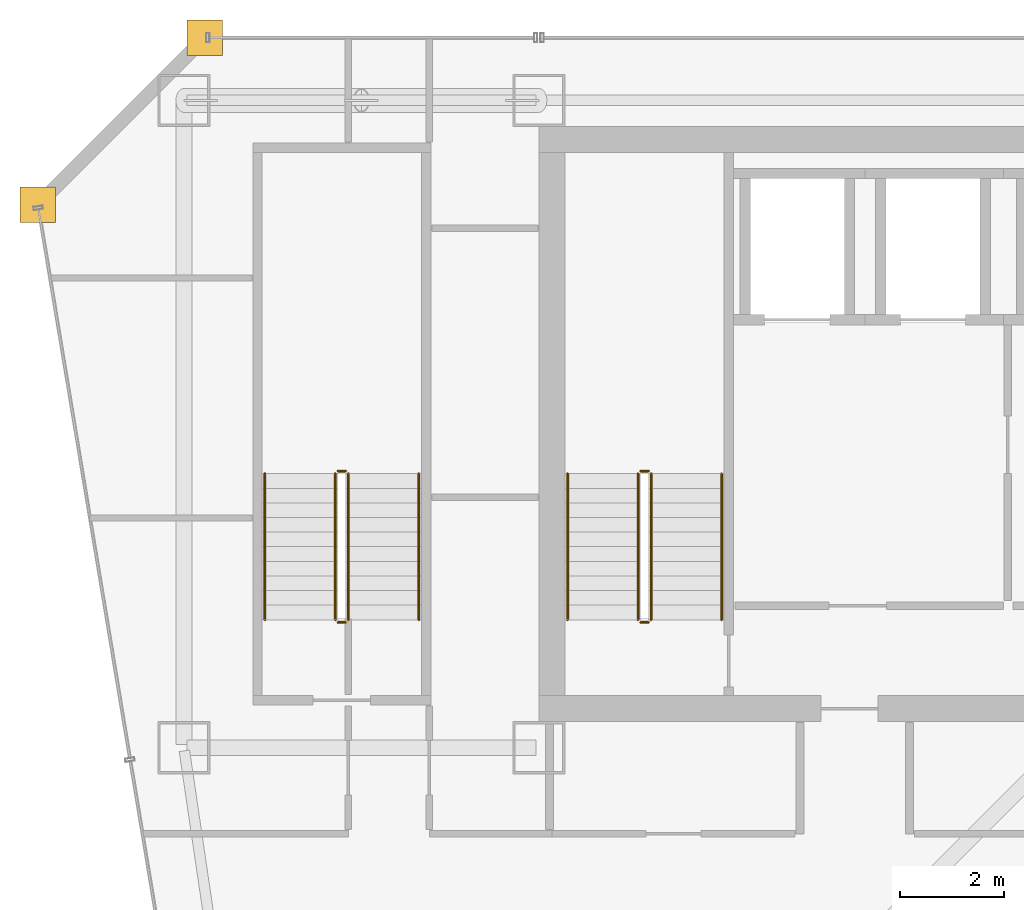
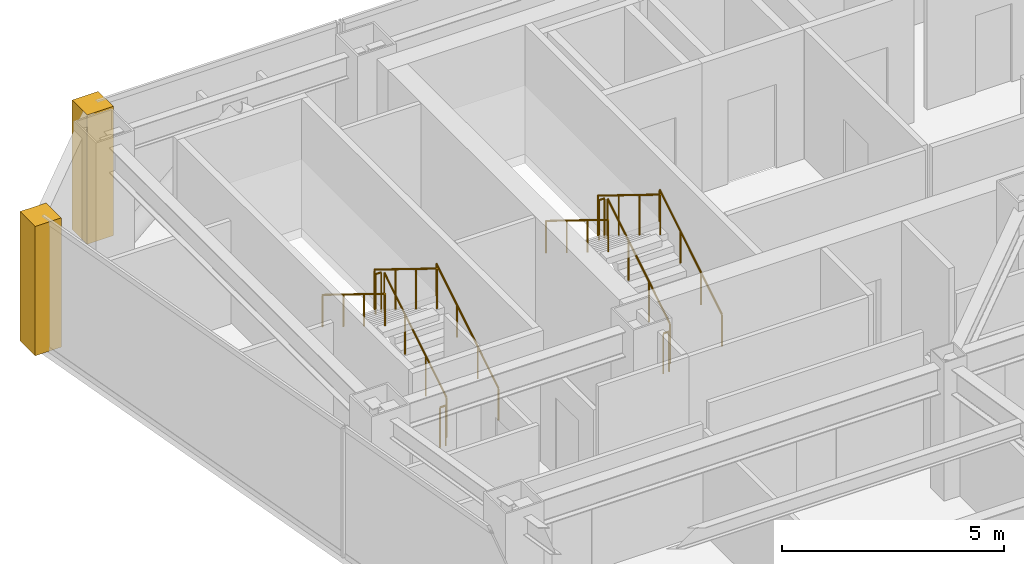
# One storey, part 37 of 38: 12 railings, 2 coverings.
"""IFC4 building model written with IfcOpenShell, lengths in metres."""

from ifc_helpers import new_model, si_unit, direction, frame, origin, origin_2d, place, context, subcontext, project, spatial, polyline, circle, outline, extrude, material, layer, layer_set, type_object, element, save


model = new_model("IFC4")

# Units and contexts
model_context = context("Model", 3, precision=1e-05, world=origin(), true_north=direction((0.0, 1.0)))
body_context = subcontext(model_context, "Body", "Model", "MODEL_VIEW")
ifc_project = project(units=[si_unit("LENGTHUNIT", "METRE"), si_unit("AREAUNIT", "SQUARE_METRE"), si_unit("VOLUMEUNIT", "CUBIC_METRE"), si_unit("PLANEANGLEUNIT", "RADIAN"), si_unit("MASSUNIT", "GRAM", prefix="KILO")], contexts=[model_context])

# Site, building, storey
site_placement = place(None, origin())
site = spatial("IfcSite", under=ifc_project, at=site_placement, CompositionType="ELEMENT")
building_placement = place(site_placement, origin())
building = spatial("IfcBuilding", under=site, at=building_placement, Name="Saevonmaru Cultural Tower", CompositionType="ELEMENT")
storey_placement = place(building_placement, frame((0.0, 0.0, 133.39990234375)))
storey = spatial("IfcBuildingStorey", under=building, at=storey_placement, Name="L28", CompositionType="ELEMENT", Elevation=133.39990234375)

# Coverings
ifc_material_1 = material(Name="Satin Bronze Anodised Aluminium", Category="aluminium")
ifc_layer = layer(ifc_material_1, 0.679931640625, Name="Satin Bronze Anodised Aluminium")
ifc_layer_set = layer_set([ifc_layer], Name="Satin Bronze Anodised Aluminium")
covering_type = type_object("IfcCoveringType", Name="CV-CORNER-CLAD", PredefinedType="CLADDING", material=ifc_layer_set)
covering_1_placement = place(storey_placement, origin())
element("IfcCovering", 1, at=covering_1_placement, inside=storey, type_object=covering_type, Name="L28 Tower Bronze Corner Cladding Pier 11", PredefinedType="CLADDING", context=body_context, shape_type="SweptSolid", body=[
    extrude(outline(polyline([(6.860107421875, 55.659912109375), (7.5400390625, 55.659912109375), (7.5400390625, 56.340087890625), (6.860107421875, 56.340087890625), (6.860107421875, 55.659912109375)])), origin(), (0.0, 0.0, 1.0), 3.550048828125),
])
covering_2_placement = place(storey_placement, origin())
element("IfcCovering", 2, at=covering_2_placement, inside=storey, type_object=covering_type, Name="L28 Tower Bronze Corner Cladding Pier 12", PredefinedType="CLADDING", context=body_context, shape_type="SweptSolid", body=[
    extrude(outline(polyline([(3.659912109375, 52.4599609375), (4.340087890625, 52.4599609375), (4.340087890625, 53.139892578125), (3.659912109375, 53.139892578125), (3.659912109375, 52.4599609375)])), origin(), (0.0, 0.0, 1.0), 3.550048828125),
])

# Railings
ifc_material_2 = material(Name="Architectural Painted Steel", Category="steel")
railing_type_1 = type_object("IfcRailingType", Name="RL-STAIR-GUARD", PredefinedType="GUARDRAIL", material=ifc_material_2)
railing_1_placement = place(storey_placement, frame((15.75, 44.85009765625, 0.1728515625)))
element("IfcRailing", 3, at=railing_1_placement, inside=storey, type_object=railing_type_1, Name="L28 ST-1 stair guard 1", PredefinedType="GUARDRAIL", context=body_context, shape_type="SweptSolid", body=[
    extrude(circle(Radius=0.02392578125, at=origin_2d()), frame((0.0, 0.0, 1.09619140625), z_axis=(0.0, 0.851069175582, 0.525053576669), x_axis=(-1.0, 0.0, 0.0)), (0.0, 0.0, 1.0), 3.289794921875),
    extrude(circle(Radius=0.02099609375, at=origin_2d()), origin(), (0.0, 0.0, 1.0), 1.072021484375),
    extrude(circle(Radius=0.02099609375, at=origin_2d()), frame((0.0, 0.933349609375, 0.57568359375)), (0.0, 0.0, 1.0), 1.072021484375),
    extrude(circle(Radius=0.02099609375, at=origin_2d()), frame((0.0, 1.866455078125, 1.151611328125)), (0.0, 0.0, 1.0), 1.072021484375),
    extrude(circle(Radius=0.02099609375, at=origin_2d()), frame((0.0, 2.7998046875, 1.727294921875)), (0.0, 0.0, 1.0), 1.072021484375),
])
railing_2_placement = place(storey_placement, frame((15.699951171875, 47.699951171875, 1.900146484375)))
element("IfcRailing", 4, at=railing_2_placement, inside=storey, type_object=railing_type_1, Name="L28 ST-1 stair guard 2", PredefinedType="GUARDRAIL", context=body_context, shape_type="SweptSolid", body=[
    extrude(circle(Radius=0.02392578125, at=origin_2d()), frame((0.0, 0.0, 1.09619140625), z_axis=(-1.0, 0.0, 0.0), x_axis=(0.0, -1.0, 0.0)), (0.0, 0.0, 1.0), 0.14990234375),
    extrude(circle(Radius=0.02099609375, at=origin_2d()), origin(), (0.0, 0.0, 1.0), 1.072021484375),
    extrude(circle(Radius=0.02099609375, at=origin_2d()), frame((-0.14990234375, 0.0, 0.0)), (0.0, 0.0, 1.0), 1.072021484375),
])
railing_3_placement = place(storey_placement, frame((15.5, 47.64990234375, 2.07275390625)))
element("IfcRailing", 5, at=railing_3_placement, inside=storey, type_object=railing_type_1, Name="L28 ST-1 stair guard 3", PredefinedType="GUARDRAIL", context=body_context, shape_type="SweptSolid", body=[
    extrude(circle(Radius=0.02392578125, at=origin_2d()), frame((0.0, 0.0, 1.09619140625), z_axis=(0.0, -0.851069175582, 0.525053576669), x_axis=(1.0, 0.0, 0.0)), (0.0, 0.0, 1.0), 3.289794921875),
    extrude(circle(Radius=0.02099609375, at=origin_2d()), origin(), (0.0, 0.0, 1.0), 1.072021484375),
    extrude(circle(Radius=0.02099609375, at=origin_2d()), frame((0.0, -0.933349609375, 0.57568359375)), (0.0, 0.0, 1.0), 1.072021484375),
    extrude(circle(Radius=0.02099609375, at=origin_2d()), frame((0.0, -1.866455078125, 1.151611328125)), (0.0, 0.0, 1.0), 1.072021484375),
    extrude(circle(Radius=0.02099609375, at=origin_2d()), frame((0.0, -2.7998046875, 1.727294921875)), (0.0, 0.0, 1.0), 1.072021484375),
])
railing_4_placement = place(storey_placement, frame((15.699951171875, 44.800048828125, 0.0)))
element("IfcRailing", 6, at=railing_4_placement, inside=storey, type_object=railing_type_1, Name="L28 ST-1 stair guard 4", PredefinedType="GUARDRAIL", context=body_context, shape_type="SweptSolid", body=[
    extrude(circle(Radius=0.02392578125, at=origin_2d()), frame((0.0, 0.0, 1.09619140625), z_axis=(-1.0, 0.0, 0.0), x_axis=(0.0, -1.0, 0.0)), (0.0, 0.0, 1.0), 0.14990234375),
    extrude(circle(Radius=0.02099609375, at=origin_2d()), origin(), (0.0, 0.0, 1.0), 1.072021484375),
    extrude(circle(Radius=0.02099609375, at=origin_2d()), frame((-0.14990234375, 0.0, 0.0)), (0.0, 0.0, 1.0), 1.072021484375),
])
railing_5_placement = place(storey_placement, frame((9.949951171875, 44.85009765625, 0.1728515625)))
element("IfcRailing", 7, at=railing_5_placement, inside=storey, type_object=railing_type_1, Name="L28 ST-3 stair guard 1", PredefinedType="GUARDRAIL", context=body_context, shape_type="SweptSolid", body=[
    extrude(circle(Radius=0.02392578125, at=origin_2d()), frame((0.0, 0.0, 1.09619140625), z_axis=(0.0, 0.851069175582, 0.525053576669), x_axis=(-1.0, 0.0, 0.0)), (0.0, 0.0, 1.0), 3.289794921875),
    extrude(circle(Radius=0.02099609375, at=origin_2d()), origin(), (0.0, 0.0, 1.0), 1.072021484375),
    extrude(circle(Radius=0.02099609375, at=origin_2d()), frame((0.0, 0.933349609375, 0.57568359375)), (0.0, 0.0, 1.0), 1.072021484375),
    extrude(circle(Radius=0.02099609375, at=origin_2d()), frame((0.0, 1.866455078125, 1.151611328125)), (0.0, 0.0, 1.0), 1.072021484375),
    extrude(circle(Radius=0.02099609375, at=origin_2d()), frame((0.0, 2.7998046875, 1.727294921875)), (0.0, 0.0, 1.0), 1.072021484375),
])
railing_6_placement = place(storey_placement, frame((9.89990234375, 47.699951171875, 1.900146484375)))
element("IfcRailing", 8, at=railing_6_placement, inside=storey, type_object=railing_type_1, Name="L28 ST-3 stair guard 2", PredefinedType="GUARDRAIL", context=body_context, shape_type="SweptSolid", body=[
    extrude(circle(Radius=0.02392578125, at=origin_2d()), frame((0.0, 0.0, 1.09619140625), z_axis=(-1.0, 0.0, 0.0), x_axis=(0.0, -1.0, 0.0)), (0.0, 0.0, 1.0), 0.14990234375),
    extrude(circle(Radius=0.02099609375, at=origin_2d()), origin(), (0.0, 0.0, 1.0), 1.072021484375),
    extrude(circle(Radius=0.02099609375, at=origin_2d()), frame((-0.14990234375, 0.0, 0.0)), (0.0, 0.0, 1.0), 1.072021484375),
])
railing_7_placement = place(storey_placement, frame((9.699951171875, 47.64990234375, 2.07275390625)))
element("IfcRailing", 9, at=railing_7_placement, inside=storey, type_object=railing_type_1, Name="L28 ST-3 stair guard 3", PredefinedType="GUARDRAIL", context=body_context, shape_type="SweptSolid", body=[
    extrude(circle(Radius=0.02392578125, at=origin_2d()), frame((0.0, 0.0, 1.09619140625), z_axis=(0.0, -0.851069175582, 0.525053576669), x_axis=(1.0, 0.0, 0.0)), (0.0, 0.0, 1.0), 3.289794921875),
    extrude(circle(Radius=0.02099609375, at=origin_2d()), origin(), (0.0, 0.0, 1.0), 1.072021484375),
    extrude(circle(Radius=0.02099609375, at=origin_2d()), frame((0.0, -0.933349609375, 0.57568359375)), (0.0, 0.0, 1.0), 1.072021484375),
    extrude(circle(Radius=0.02099609375, at=origin_2d()), frame((0.0, -1.866455078125, 1.151611328125)), (0.0, 0.0, 1.0), 1.072021484375),
    extrude(circle(Radius=0.02099609375, at=origin_2d()), frame((0.0, -2.7998046875, 1.727294921875)), (0.0, 0.0, 1.0), 1.072021484375),
])
railing_8_placement = place(storey_placement, frame((9.89990234375, 44.800048828125, 0.0)))
element("IfcRailing", 10, at=railing_8_placement, inside=storey, type_object=railing_type_1, Name="L28 ST-3 stair guard 4", PredefinedType="GUARDRAIL", context=body_context, shape_type="SweptSolid", body=[
    extrude(circle(Radius=0.02392578125, at=origin_2d()), frame((0.0, 0.0, 1.09619140625), z_axis=(-1.0, 0.0, 0.0), x_axis=(0.0, -1.0, 0.0)), (0.0, 0.0, 1.0), 0.14990234375),
    extrude(circle(Radius=0.02099609375, at=origin_2d()), origin(), (0.0, 0.0, 1.0), 1.072021484375),
    extrude(circle(Radius=0.02099609375, at=origin_2d()), frame((-0.14990234375, 0.0, 0.0)), (0.0, 0.0, 1.0), 1.072021484375),
])
railing_type_2 = type_object("IfcRailingType", Name="RL-STAIR-HANDRAIL", PredefinedType="HANDRAIL", material=ifc_material_1)
railing_9_placement = place(storey_placement, frame((17.10009765625, 44.85009765625, 0.1728515625)))
element("IfcRailing", 11, at=railing_9_placement, inside=storey, type_object=railing_type_2, Name="L28 ST-1 stair handrail 1", PredefinedType="HANDRAIL", context=body_context, shape_type="SweptSolid", body=[
    extrude(circle(Radius=0.02392578125, at=origin_2d()), frame((0.0, 0.0, 0.8759765625), z_axis=(0.0, 0.851069175582, 0.525053576669), x_axis=(-1.0, 0.0, 0.0)), (0.0, 0.0, 1.0), 3.289794921875),
    extrude(circle(Radius=0.02099609375, at=origin_2d()), origin(), (0.0, 0.0, 1.0), 0.851806640625),
    extrude(circle(Radius=0.02099609375, at=origin_2d()), frame((0.0, 0.933349609375, 0.57568359375)), (0.0, 0.0, 1.0), 0.851806640625),
    extrude(circle(Radius=0.02099609375, at=origin_2d()), frame((0.0, 1.866455078125, 1.151611328125)), (0.0, 0.0, 1.0), 0.851806640625),
    extrude(circle(Radius=0.02099609375, at=origin_2d()), frame((0.0, 2.7998046875, 1.727294921875)), (0.0, 0.0, 1.0), 0.851806640625),
])
railing_10_placement = place(storey_placement, frame((14.14990234375, 47.64990234375, 2.07275390625)))
element("IfcRailing", 12, at=railing_10_placement, inside=storey, type_object=railing_type_2, Name="L28 ST-1 stair handrail 2", PredefinedType="HANDRAIL", context=body_context, shape_type="SweptSolid", body=[
    extrude(circle(Radius=0.02392578125, at=origin_2d()), frame((0.0, 0.0, 0.8759765625), z_axis=(0.0, -0.851069175582, 0.525053576669), x_axis=(1.0, 0.0, 0.0)), (0.0, 0.0, 1.0), 3.289794921875),
    extrude(circle(Radius=0.02099609375, at=origin_2d()), origin(), (0.0, 0.0, 1.0), 0.851806640625),
    extrude(circle(Radius=0.02099609375, at=origin_2d()), frame((0.0, -0.933349609375, 0.57568359375)), (0.0, 0.0, 1.0), 0.851806640625),
    extrude(circle(Radius=0.02099609375, at=origin_2d()), frame((0.0, -1.866455078125, 1.151611328125)), (0.0, 0.0, 1.0), 0.851806640625),
    extrude(circle(Radius=0.02099609375, at=origin_2d()), frame((0.0, -2.7998046875, 1.727294921875)), (0.0, 0.0, 1.0), 0.851806640625),
])
railing_11_placement = place(storey_placement, frame((11.300048828125, 44.85009765625, 0.1728515625)))
element("IfcRailing", 13, at=railing_11_placement, inside=storey, type_object=railing_type_2, Name="L28 ST-3 stair handrail 1", PredefinedType="HANDRAIL", context=body_context, shape_type="SweptSolid", body=[
    extrude(circle(Radius=0.02392578125, at=origin_2d()), frame((0.0, 0.0, 0.8759765625), z_axis=(0.0, 0.851069175582, 0.525053576669), x_axis=(-1.0, 0.0, 0.0)), (0.0, 0.0, 1.0), 3.289794921875),
    extrude(circle(Radius=0.02099609375, at=origin_2d()), origin(), (0.0, 0.0, 1.0), 0.851806640625),
    extrude(circle(Radius=0.02099609375, at=origin_2d()), frame((0.0, 0.933349609375, 0.57568359375)), (0.0, 0.0, 1.0), 0.851806640625),
    extrude(circle(Radius=0.02099609375, at=origin_2d()), frame((0.0, 1.866455078125, 1.151611328125)), (0.0, 0.0, 1.0), 0.851806640625),
    extrude(circle(Radius=0.02099609375, at=origin_2d()), frame((0.0, 2.7998046875, 1.727294921875)), (0.0, 0.0, 1.0), 0.851806640625),
])
railing_12_placement = place(storey_placement, frame((8.35009765625, 47.64990234375, 2.07275390625)))
element("IfcRailing", 14, at=railing_12_placement, inside=storey, type_object=railing_type_2, Name="L28 ST-3 stair handrail 2", PredefinedType="HANDRAIL", context=body_context, shape_type="SweptSolid", body=[
    extrude(circle(Radius=0.02392578125, at=origin_2d()), frame((0.0, 0.0, 0.8759765625), z_axis=(0.0, -0.851069175582, 0.525053576669), x_axis=(1.0, 0.0, 0.0)), (0.0, 0.0, 1.0), 3.289794921875),
    extrude(circle(Radius=0.02099609375, at=origin_2d()), origin(), (0.0, 0.0, 1.0), 0.851806640625),
    extrude(circle(Radius=0.02099609375, at=origin_2d()), frame((0.0, -0.933349609375, 0.57568359375)), (0.0, 0.0, 1.0), 0.851806640625),
    extrude(circle(Radius=0.02099609375, at=origin_2d()), frame((0.0, -1.866455078125, 1.151611328125)), (0.0, 0.0, 1.0), 0.851806640625),
    extrude(circle(Radius=0.02099609375, at=origin_2d()), frame((0.0, -2.7998046875, 1.727294921875)), (0.0, 0.0, 1.0), 0.851806640625),
])

save(model, "model.ifc")
